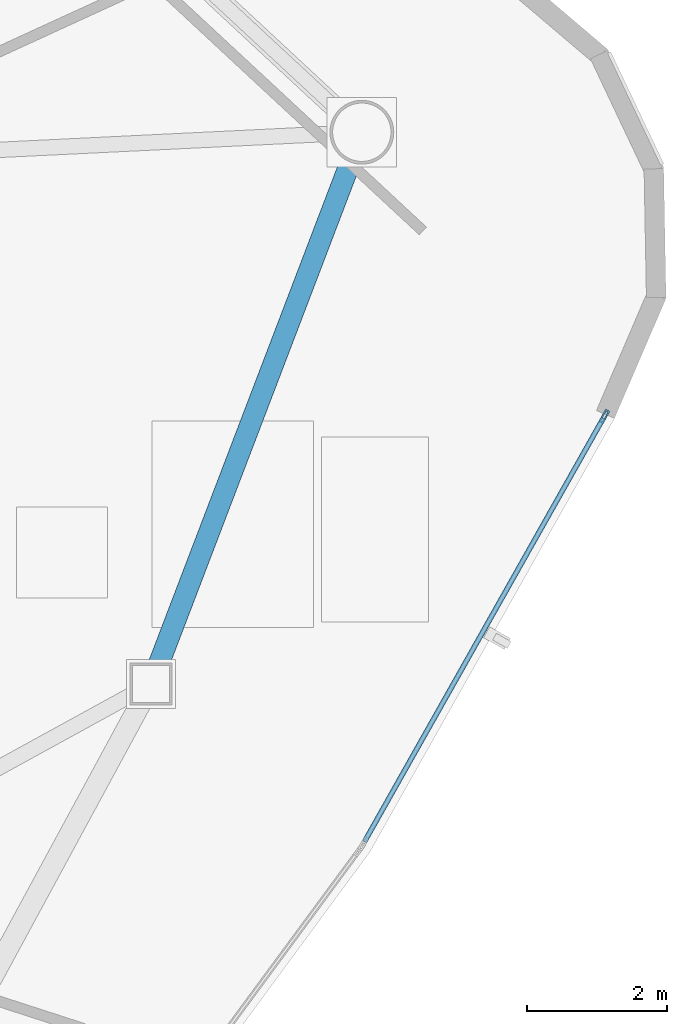
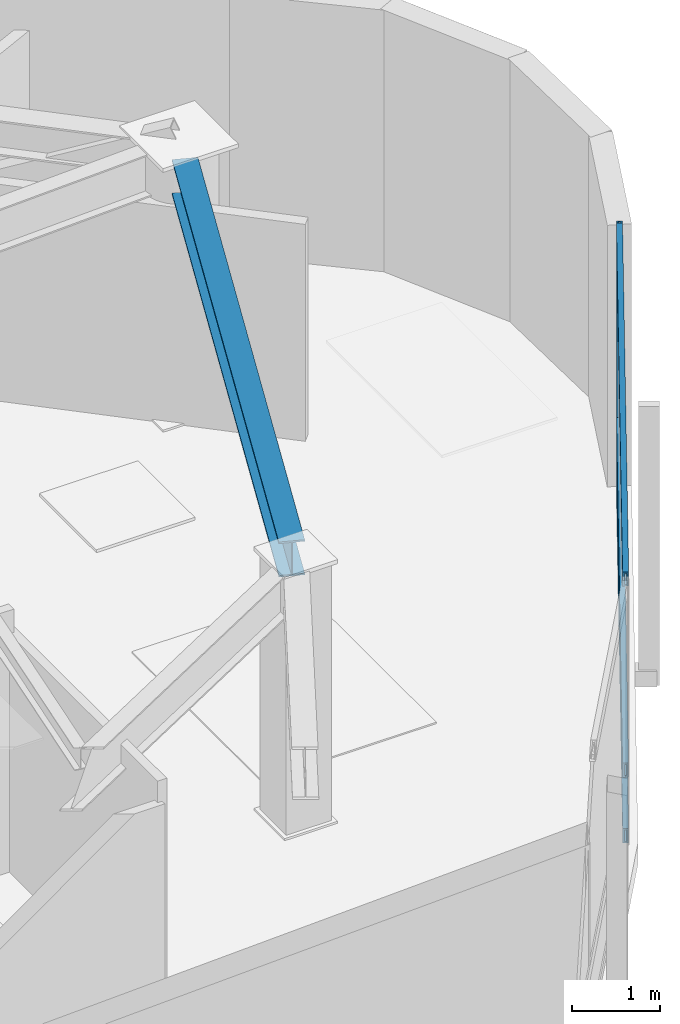
# One storey, part 6 of 15: 4 members, 1 beam, 1 element without a shape of its own.
"""IFC4 building model written with IfcOpenShell, lengths in metres."""

from ifc_helpers import new_model, si_unit, direction, frame, origin, origin_2d, place, context, subcontext, project, spatial, hollow_rectangle, i_section, extrude, source, transform, mapped, material, layer, layer_set, material_profile, profile_set, type_object, type_shapes, element, aggregate, save


model = new_model("IFC4")

# Units and contexts
model_context = context("Model", 3, precision=1e-05, world=origin(), true_north=direction((0.0, 1.0)))
body_context = subcontext(model_context, "Body", "Model", "MODEL_VIEW")
ifc_project = project(units=[si_unit("LENGTHUNIT", "METRE"), si_unit("AREAUNIT", "SQUARE_METRE"), si_unit("VOLUMEUNIT", "CUBIC_METRE"), si_unit("PLANEANGLEUNIT", "RADIAN"), si_unit("MASSUNIT", "GRAM", prefix="KILO")], contexts=[model_context])

# Site, building, storey
site_placement = place(None, origin())
site = spatial("IfcSite", under=ifc_project, at=site_placement, CompositionType="ELEMENT")
building_placement = place(site_placement, origin())
building = spatial("IfcBuilding", under=site, at=building_placement, Name="Tavelor Broadcast Tower", CompositionType="ELEMENT")
storey_placement = place(building_placement, frame((0.0, 0.0, 222.14990234375)))
storey = spatial("IfcBuildingStorey", under=building, at=storey_placement, Name="L52", CompositionType="ELEMENT", Elevation=222.14990234375)

# Beam
ifc_material_1 = material(Name="Steel S355", Category="steel")
ifc_material_profile_1 = material_profile(ifc_material_1, i_section(OverallWidth=0.300048828125, OverallDepth=0.489990234375, WebThickness=0.011962890625, FlangeThickness=0.02294921875, at=origin_2d()), Name="HEA 500")
ifc_profile_set_1 = profile_set([ifc_material_profile_1], Name="Steel S355")
beam_type = type_object("IfcBeamType", Name="Perimeter Spandrel Beam T5 HEA 500", PredefinedType="SPANDREL", material=ifc_profile_set_1)
beam_placement = place(storey_placement, frame((66.010009765625, 44.178466796875, 3.405029296875), z_axis=(0.356691025332, 0.934222410589, 0.0), x_axis=(-0.934222410589, 0.356691025332, 0.0)))
element("IfcBeam", 1, at=beam_placement, inside=storey, type_object=beam_type, Name="L52 Framed-Tube Ring Spandrel 12", PredefinedType="SPANDREL", context=body_context, shape_type="SweptSolid", body=[
    extrude(i_section(OverallWidth=0.300048828125, OverallDepth=0.489990234375, WebThickness=0.011962890625, FlangeThickness=0.02294921875, at=origin_2d()), origin(), (0.0, 0.0, 1.0), 7.71875),
])

# Curtain wall, members
ifc_material_2 = material(Name="Architectural Anodized Aluminium", Category="aluminium")
ifc_layer = layer(ifc_material_2, 0.199951171875)
ifc_layer_set = layer_set([ifc_layer], Name="Architectural Anodized Aluminium")
curtain_wall_type = type_object("IfcCurtainWallType", Name="Tower High-Zone Triple-Glazed Curtain Wall CW04", PredefinedType="NOTDEFINED", material=ifc_layer_set)
curtain_wall_placement = place(storey_placement, origin())
curtain_wall = element("IfcCurtainWall", 2, at=curtain_wall_placement, inside=storey, type_object=curtain_wall_type, Name="L52 Curtain Wall CW04 Run 560", PredefinedType="NOTDEFINED")
ifc_material_profile_2 = material_profile(ifc_material_2, hollow_rectangle(XDim=0.070068359375, YDim=0.199951171875, WallThickness=0.02197265625, at=origin_2d()), Name="RHS 70x200x22")
ifc_profile_set_2 = profile_set([ifc_material_profile_2], Name="Architectural Anodized Aluminium")
member_type_1 = type_object("IfcMemberType", Name="CW04 Extruded Aluminium Mullion 70x200", PredefinedType="MULLION", material=ifc_profile_set_2)
shared_shape_1 = source(origin(), body_context, "Body", "SweptSolid", [
    extrude(hollow_rectangle(XDim=0.070068359375, YDim=0.199951171875, WallThickness=0.02197265625, at=origin_2d()), origin(), (0.0, 0.0, 1.0), 3.650146484375),
])
type_shapes(member_type_1, [shared_shape_1])
member_1_placement = place(storey_placement, frame((72.388427734375, 47.737548828125, 0.0), z_axis=(0.0, 0.0, 1.0), x_axis=(-0.871017322111, 0.491252302369, 0.0)))
member_1 = element("IfcMember", 3, at=member_1_placement, type_object=member_type_1, Name="CW04 mullion 2", PredefinedType="MULLION", context=body_context, shape_type="MappedRepresentation", body=[
    mapped(shared_shape_1, transform((0.0, 0.0, 0.0), scale=1.0)),
])
ifc_material_profile_3 = material_profile(ifc_material_2, hollow_rectangle(XDim=0.070068359375, YDim=0.199951171875, WallThickness=0.02197265625, at=origin_2d()), Name="RHS 70x200x22")
ifc_profile_set_3 = profile_set([ifc_material_profile_3], Name="Architectural Anodized Aluminium")
member_type_2 = type_object("IfcMemberType", Name="CW04 Extruded Aluminium Transom 70x200", PredefinedType="USERDEFINED", material=ifc_profile_set_3)
shared_shape_2 = source(origin(), body_context, "Body", "SweptSolid", [
    extrude(hollow_rectangle(XDim=0.070068359375, YDim=0.199951171875, WallThickness=0.02197265625, at=origin_2d()), origin(), (0.0, 0.0, 1.0), 6.94775390625),
])
type_shapes(member_type_2, [shared_shape_2])
member_2_placement = place(storey_placement, frame((68.9580078125, 41.6552734375, 0.03515625), z_axis=(0.491241898907, 0.871023189564, 0.0), x_axis=(-0.871023189564, 0.491241898907, 0.0)))
member_2 = element("IfcMember", 4, at=member_2_placement, type_object=member_type_2, Name="CW04 transom 1.1", ObjectType="TRANSOM", PredefinedType="USERDEFINED", context=body_context, shape_type="MappedRepresentation", body=[
    mapped(shared_shape_2, transform((0.0, 0.0, 0.0), scale=1.0)),
])
member_3_placement = place(storey_placement, frame((68.9580078125, 41.6552734375, 0.9501953125), z_axis=(0.491241898907, 0.871023189564, 0.0), x_axis=(-0.871023189564, 0.491241898907, 0.0)))
member_3 = element("IfcMember", 5, at=member_3_placement, type_object=member_type_2, Name="CW04 transom 1.2", ObjectType="TRANSOM", PredefinedType="USERDEFINED", context=body_context, shape_type="MappedRepresentation", body=[
    mapped(shared_shape_2, transform((0.0, 0.0, 0.0), scale=1.0)),
])
member_4_placement = place(storey_placement, frame((68.9580078125, 41.6552734375, 3.614990234375), z_axis=(0.491241898907, 0.871023189564, 0.0), x_axis=(-0.871023189564, 0.491241898907, 0.0)))
member_4 = element("IfcMember", 6, at=member_4_placement, type_object=member_type_2, Name="CW04 transom 1.3", ObjectType="TRANSOM", PredefinedType="USERDEFINED", context=body_context, shape_type="MappedRepresentation", body=[
    mapped(shared_shape_2, transform((0.0, 0.0, 0.0), scale=1.0)),
])
aggregate(curtain_wall, [member_1, member_2, member_3, member_4])

save(model, "model.ifc")
